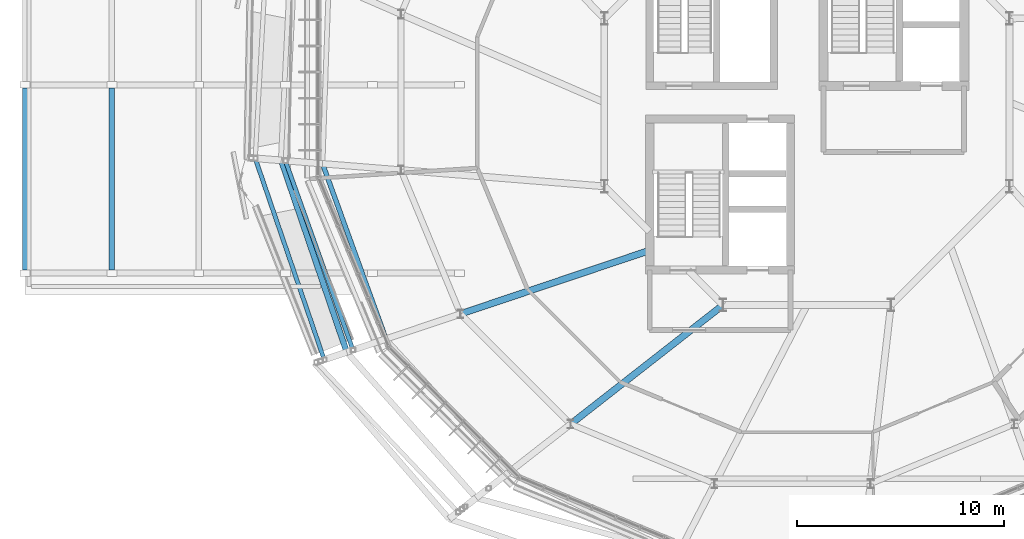
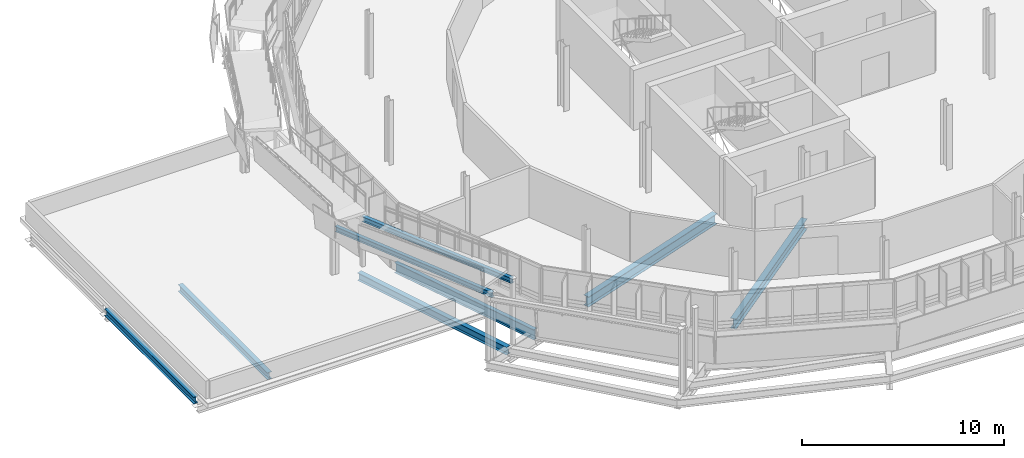
# One storey, part 11 of 61: 8 beams.
"""IFC4 building model written with IfcOpenShell, lengths in metres."""

from ifc_helpers import new_model, si_unit, derived_unit, direction, frame, origin, origin_2d, place, context, subcontext, project, spatial, i_section, extrude, material, material_profile, profile_set, type_object, element, save


model = new_model("IFC4")

# Units and contexts
model_context = context("Model", 3, precision=1e-05, world=origin(), true_north=direction((0.0, 1.0)))
body_context = subcontext(model_context, "Body", "Model", "MODEL_VIEW")
ifc_project = project(units=[si_unit("LENGTHUNIT", "METRE"), si_unit("AREAUNIT", "SQUARE_METRE"), si_unit("VOLUMEUNIT", "CUBIC_METRE"), si_unit("PLANEANGLEUNIT", "RADIAN"), si_unit("MASSUNIT", "GRAM", prefix="KILO"), derived_unit("THERMALTRANSMITTANCEUNIT", [(si_unit("MASSUNIT", "GRAM", prefix="KILO"), 1), (si_unit("TIMEUNIT", "SECOND"), -3), (si_unit("THERMODYNAMICTEMPERATUREUNIT", "KELVIN"), -1)])], contexts=[model_context])

# Site, building, storey
site_placement = place(None, origin())
site = spatial("IfcSite", under=ifc_project, at=site_placement, CompositionType="ELEMENT")
building_placement = place(site_placement, origin())
building = spatial("IfcBuilding", under=site, at=building_placement, Name="Makaiwela Harbour Ferry Terminal", CompositionType="ELEMENT")
storey_placement = place(building_placement, frame((0.0, 0.0, 13.800048828125)))
storey = spatial("IfcBuildingStorey", under=building, at=storey_placement, Name="L03", CompositionType="ELEMENT", Elevation=13.800048828125)

# Beams
ifc_material = material(Name="Steel ASTM A992 Grade 50", Category="steel")
ifc_material_profile_1 = material_profile(ifc_material, i_section(OverallWidth=0.280029296875, OverallDepth=0.462890625, WebThickness=0.0107421875, FlangeThickness=0.017333984375, at=origin_2d()), Name="W18X76")
ifc_profile_set_1 = profile_set([ifc_material_profile_1], Name="Steel ASTM A992 Grade 50")
beam_type_1 = type_object("IfcBeamType", Name="STR-BM-W18X76", PredefinedType="BEAM", material=ifc_profile_set_1)
beam_1_placement = place(storey_placement, frame((12.389404296875, 64.7998046875, -0.486572265625), z_axis=(0.323144397808, -0.946349670136, 0.0), x_axis=(0.946349670136, 0.323144397808, 0.0)))
element("IfcBeam", 1, at=beam_1_placement, inside=storey, type_object=beam_type_1, Name="Drum stage2 tie girder 345", PredefinedType="BEAM", context=body_context, shape_type="SweptSolid", body=[
    extrude(i_section(OverallWidth=0.280029296875, OverallDepth=0.462890625, WebThickness=0.0107421875, FlangeThickness=0.017333984375, at=origin_2d()), origin(), (0.0, 0.0, 1.0), 9.793701171875),
])
ifc_material_profile_2 = material_profile(ifc_material, i_section(OverallWidth=0.324951171875, OverallDepth=0.615966796875, WebThickness=0.013916015625, FlangeThickness=0.021484375, at=origin_2d()), Name="W24X117")
ifc_profile_set_2 = profile_set([ifc_material_profile_2], Name="Steel ASTM A992 Grade 50")
beam_type_2 = type_object("IfcBeamType", Name="STR-GRD-W24X117", PredefinedType="USERDEFINED", material=ifc_profile_set_2)
beam_2_placement = place(storey_placement, frame((30.159912109375, 60.43505859375, -0.56298828125), z_axis=(-0.948000034107, -0.31827022376, 0.0), x_axis=(0.31827022376, -0.948000034107, 0.0)))
element("IfcBeam", 2, at=beam_2_placement, inside=storey, type_object=beam_type_2, Name="Drum radial girder 305", ObjectType="GIRDER", PredefinedType="USERDEFINED", context=body_context, shape_type="SweptSolid", body=[
    extrude(i_section(OverallWidth=0.324951171875, OverallDepth=0.615966796875, WebThickness=0.013916015625, FlangeThickness=0.021484375, at=origin_2d()), origin(), (0.0, 0.0, 1.0), 9.60693359375),
])
beam_3_placement = place(storey_placement, frame((33.74365234375, 57.806884765625, -0.56298828125), z_axis=(-0.78804813165, -0.615613630618, 0.0), x_axis=(0.615613630618, -0.78804813165, 0.0)))
element("IfcBeam", 3, at=beam_3_placement, inside=storey, type_object=beam_type_2, Name="Drum radial girder 309", ObjectType="GIRDER", PredefinedType="USERDEFINED", context=body_context, shape_type="SweptSolid", body=[
    extrude(i_section(OverallWidth=0.324951171875, OverallDepth=0.615966796875, WebThickness=0.013916015625, FlangeThickness=0.021484375, at=origin_2d()), origin(), (0.0, 0.0, 1.0), 9.347412109375),
])
ifc_material_profile_3 = material_profile(ifc_material, i_section(OverallWidth=0.22900390625, OverallDepth=0.612060546875, WebThickness=0.011962890625, FlangeThickness=0.01953125, at=origin_2d()), Name="W24X84")
ifc_profile_set_3 = profile_set([ifc_material_profile_3], Name="Steel ASTM A992 Grade 50")
beam_type_3 = type_object("IfcBeamType", Name="STR-GRD-W24X84", PredefinedType="USERDEFINED", material=ifc_profile_set_3)
beam_4_placement = place(storey_placement, frame((14.383056640625, 64.639404296875, -0.56103515625), z_axis=(0.340439431339, -0.940266448189, 0.0), x_axis=(0.940266448189, 0.340439431339, 0.0)))
element("IfcBeam", 4, at=beam_4_placement, inside=storey, type_object=beam_type_3, Name="Drum overhang tie girder 344", ObjectType="GIRDER", PredefinedType="USERDEFINED", context=body_context, shape_type="SweptSolid", body=[
    extrude(i_section(OverallWidth=0.22900390625, OverallDepth=0.612060546875, WebThickness=0.011962890625, FlangeThickness=0.01953125, at=origin_2d()), origin(), (0.0, 0.0, 1.0), 9.00927734375),
])
ifc_material_profile_4 = material_profile(ifc_material, i_section(OverallWidth=0.260986328125, OverallDepth=0.4189453125, WebThickness=0.01171875, FlangeThickness=0.019287109375, at=origin_2d()), Name="W16X77")
ifc_profile_set_4 = profile_set([ifc_material_profile_4], Name="Steel ASTM A992 Grade 50")
beam_type_4 = type_object("IfcBeamType", Name="STR-JST-W16X77", PredefinedType="JOIST", material=ifc_profile_set_4)
for number, where, z_axis, x_axis, name in (
    (5, (4.199951171875, 59.490966796875, -0.449462890625), (0.0, 1.0, 0.0), (-1.0, 0.0, 0.0), "Structural Beam J-02"),
    (6, (0.0, 59.490966796875, -0.449462890625), (0.0, 1.0, 0.0), (-1.0, 0.0, 0.0), "Structural Beam J-02"),
):
    element("IfcBeam", number, at=place(storey_placement, frame(where, z_axis=z_axis, x_axis=x_axis)), inside=storey, type_object=beam_type_4, Name=name, PredefinedType="JOIST", context=body_context, shape_type="SweptSolid", body=[
        extrude(i_section(OverallWidth=0.260986328125, OverallDepth=0.4189453125, WebThickness=0.01171875, FlangeThickness=0.019287109375, at=origin_2d()), origin(), (0.0, 0.0, 1.0), 8.818115234375),
    ])
ifc_material_profile_5 = material_profile(ifc_material, i_section(OverallWidth=0.205078125, OverallDepth=0.31005859375, WebThickness=0.009521484375, FlangeThickness=0.016357421875, at=origin_2d()), Name="W12X50")
ifc_profile_set_5 = profile_set([ifc_material_profile_5], Name="Steel ASTM A992 Grade 50")
beam_type_5 = type_object("IfcBeamType", Name="STR-LNT-W12X50", PredefinedType="LINTEL", material=ifc_profile_set_5)
beam_5_placement = place(storey_placement, frame((12.5869140625, 64.783935546875, 2.919921875), z_axis=(0.335635368158, -0.93962360928, 0.066756067324), x_axis=(0.941724289371, 0.336385735144, 0.0)))
element("IfcBeam", 7, at=beam_5_placement, inside=storey, type_object=beam_type_5, Name="Coiled Ramp Stringer L03-F6-IN", PredefinedType="LINTEL", context=body_context, shape_type="SweptSolid", body=[
    extrude(i_section(OverallWidth=0.205078125, OverallDepth=0.31005859375, WebThickness=0.009521484375, FlangeThickness=0.016357421875, at=origin_2d()), origin(), (0.0, 0.0, 1.0), 9.7392578125),
])
beam_6_placement = place(storey_placement, frame((11.12939453125, 64.901123046875, 2.749267578125), z_axis=(0.323287099432, -0.943595108839, 0.071510292379), x_axis=(0.946017043125, 0.324116883418, 0.0)))
element("IfcBeam", 8, at=beam_6_placement, inside=storey, type_object=beam_type_5, Name="Coiled Ramp Stringer L03-F6-OUT", PredefinedType="LINTEL", context=body_context, shape_type="SweptSolid", body=[
    extrude(i_section(OverallWidth=0.205078125, OverallDepth=0.31005859375, WebThickness=0.009521484375, FlangeThickness=0.016357421875, at=origin_2d()), origin(), (0.0, 0.0, 1.0), 10.3173828125),
])

save(model, "model.ifc")
